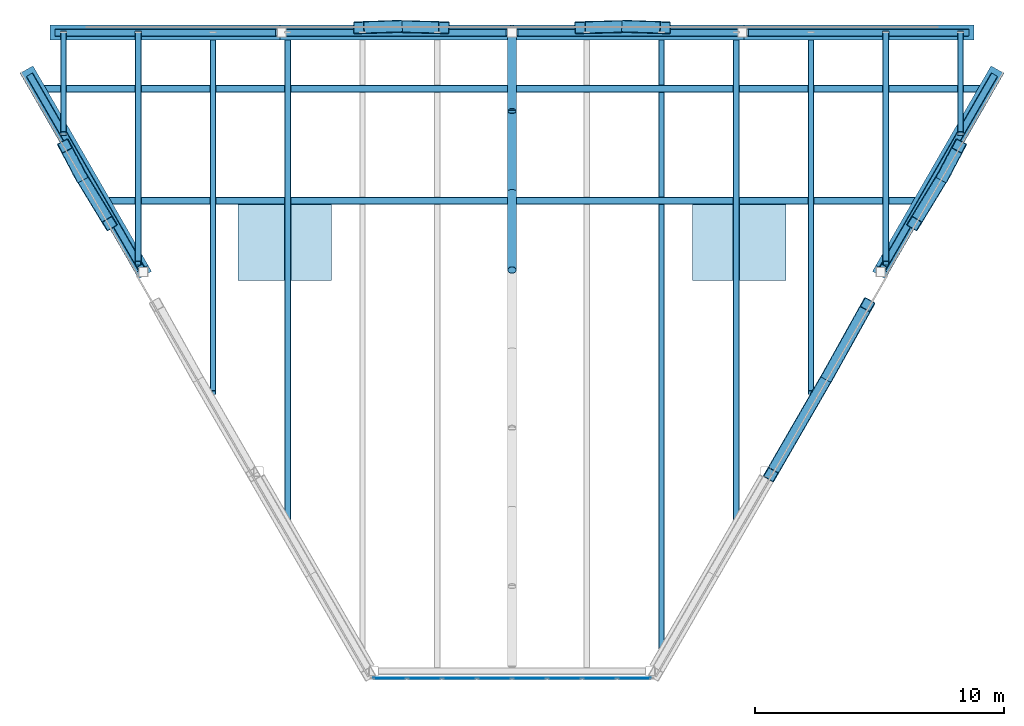
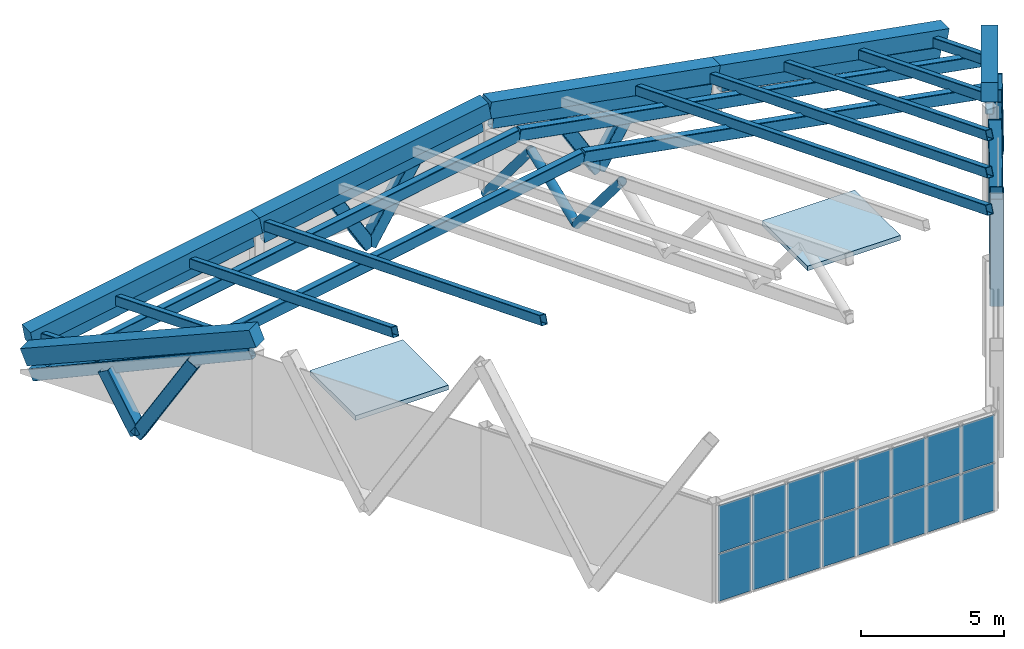
# One storey, part 3 of 6: 32 members, 16 plates, 6 beams, 2 slabs, 1 element without a shape of its own.
"""IFC4 building model written with IfcOpenShell, lengths in metres."""

from ifc_helpers import new_model, si_unit, direction, frame, origin, origin_2d, place, context, subcontext, project, spatial, polyline, rectangle, hollow_rectangle, hollow_circle, outline, extrude, material, layer, layer_set, material_profile, profile_set, type_object, element, aggregate, save


model = new_model("IFC4")

# Units and contexts
model_context = context("Model", 3, precision=1e-05, world=origin(), true_north=direction((0.0, 1.0)))
body_context = subcontext(model_context, "Body", "Model", "MODEL_VIEW")
ifc_project = project(units=[si_unit("LENGTHUNIT", "METRE"), si_unit("AREAUNIT", "SQUARE_METRE"), si_unit("VOLUMEUNIT", "CUBIC_METRE"), si_unit("PLANEANGLEUNIT", "RADIAN"), si_unit("MASSUNIT", "GRAM", prefix="KILO")], contexts=[model_context])

# Site, building, storey
site_placement = place(None, origin())
site = spatial("IfcSite", under=ifc_project, at=site_placement, CompositionType="ELEMENT")
building_placement = place(site_placement, origin())
building = spatial("IfcBuilding", under=site, at=building_placement, Name="Aloe Facet Convention Tower", CompositionType="ELEMENT")
storey_placement = place(building_placement, frame((0.0, 0.0, 293.89990234375)))
storey = spatial("IfcBuildingStorey", under=building, at=storey_placement, Name="C3", CompositionType="ELEMENT", Elevation=293.89990234375)

# Members
ifc_material_1 = material(Name="Steel S355, bronze oxide finish", Category="steel")
ifc_material_profile_1 = material_profile(ifc_material_1, hollow_rectangle(XDim=0.5, YDim=0.5, WallThickness=0.02490234375, InnerFilletRadius=0.02490234375, OuterFilletRadius=0.050048828125, at=origin_2d()), Name="SHS 500x500x25")
ifc_profile_set_1 = profile_set([ifc_material_profile_1], Name="Steel S355, bronze oxide finish")
member_type_1 = type_object("IfcMemberType", Name="STW-CROWN FRAME BRACE", PredefinedType="BRACE", material=ifc_profile_set_1)
member_1_placement = place(storey_placement, frame((84.62158203125, 135.050048828125, -0.849853515625), z_axis=(0.509675105085, -0.016730728029, 0.860204260624), x_axis=(0.032808589101, 0.999461653332, 0.0)))
element("IfcMember", 1, at=member_1_placement, inside=storey, type_object=member_type_1, Name="Crown frame brace CF-B-B02-N3", PredefinedType="BRACE", context=body_context, shape_type="SweptSolid", body=[
    extrude(hollow_rectangle(XDim=0.5, YDim=0.5, WallThickness=0.02490234375, InnerFilletRadius=0.02490234375, OuterFilletRadius=0.050048828125, at=origin_2d()), origin(), (0.0, 0.0, 1.0), 2.991455078125),
])
for number, where, z_axis, x_axis, name in (
    (2, (84.62158203125, 135.050048828125, -0.849853515625), (-0.5096836479, -0.013506353131, 0.860255867454), (0.026490183566, -0.999649073513, 0.0), "Crown frame brace CF-B-B02-N4"),
    (3, (75.37841796875, 135.050048828125, -0.849853515625), (0.5096836479, -0.013506353131, 0.860255867454), (0.026490183566, 0.999649073513, 0.0), "Crown frame brace CF-B-B03-N3"),
):
    element("IfcMember", number, at=place(storey_placement, frame(where, z_axis=z_axis, x_axis=x_axis)), inside=storey, type_object=member_type_1, Name=name, PredefinedType="BRACE", context=body_context, shape_type="SweptSolid", body=[
        extrude(hollow_rectangle(XDim=0.5, YDim=0.5, WallThickness=0.02490234375, InnerFilletRadius=0.02490234375, OuterFilletRadius=0.050048828125, at=origin_2d()), origin(), (0.0, 0.0, 1.0), 3.70556640625),
    ])
member_2_placement = place(storey_placement, frame((75.37841796875, 135.050048828125, -0.849853515625), z_axis=(-0.509675105085, -0.016730728029, 0.860204260624), x_axis=(0.032808589101, -0.999461653332, 0.0)))
element("IfcMember", 4, at=member_2_placement, inside=storey, type_object=member_type_1, Name="Crown frame brace CF-B-B03-N4", PredefinedType="BRACE", context=body_context, shape_type="SweptSolid", body=[
    extrude(hollow_rectangle(XDim=0.5, YDim=0.5, WallThickness=0.02490234375, InnerFilletRadius=0.02490234375, OuterFilletRadius=0.050048828125, at=origin_2d()), origin(), (0.0, 0.0, 1.0), 2.991455078125),
])
member_3_placement = place(storey_placement, frame((62.681396484375, 129.0673828125, -0.849853515625), z_axis=(-0.238278585154, 0.450920781059, 0.860170776687), x_axis=(-0.884147797213, -0.467207312317, 0.0)))
element("IfcMember", 5, at=member_3_placement, inside=storey, type_object=member_type_1, Name="Crown frame brace CF-B-B06-N3", PredefinedType="BRACE", context=body_context, shape_type="SweptSolid", body=[
    extrude(hollow_rectangle(XDim=0.5, YDim=0.5, WallThickness=0.02490234375, InnerFilletRadius=0.02490234375, OuterFilletRadius=0.050048828125, at=origin_2d()), origin(), (0.0, 0.0, 1.0), 2.618896484375),
])
member_4_placement = place(storey_placement, frame((62.681396484375, 129.0673828125, -0.849853515625), z_axis=(0.264627292812, -0.435778999355, 0.860272665857), x_axis=(0.854746455098, 0.519045756652, 0.0)))
element("IfcMember", 6, at=member_4_placement, inside=storey, type_object=member_type_1, Name="Crown frame brace CF-B-B06-N4", PredefinedType="BRACE", context=body_context, shape_type="SweptSolid", body=[
    extrude(hollow_rectangle(XDim=0.5, YDim=0.5, WallThickness=0.02490234375, InnerFilletRadius=0.02490234375, OuterFilletRadius=0.050048828125, at=origin_2d()), origin(), (0.0, 0.0, 1.0), 4.434814453125),
])
member_5_placement = place(storey_placement, frame((92.697265625, 121.062744140625, -0.849853515625), z_axis=(-0.254873462398, -0.441457532229, 0.860322477565), x_axis=(0.866027240882, -0.49999681804, 0.0)))
element("IfcMember", 7, at=member_5_placement, inside=storey, type_object=member_type_1, Name="Crown frame brace CF-B-B11-N3", PredefinedType="BRACE", context=body_context, shape_type="SweptSolid", body=[
    extrude(hollow_rectangle(XDim=0.5, YDim=0.5, WallThickness=0.02490234375, InnerFilletRadius=0.02490234375, OuterFilletRadius=0.050048828125, at=origin_2d()), origin(), (0.0, 0.0, 1.0), 9.06640625),
])
member_6_placement = place(storey_placement, frame((92.697265625, 121.062744140625, -0.849853515625), z_axis=(0.248005116603, 0.445383566835, 0.860306306226), x_axis=(-0.873682344052, 0.486496825984, 0.0)))
element("IfcMember", 8, at=member_6_placement, inside=storey, type_object=member_type_1, Name="Crown frame brace CF-B-B11-N4", PredefinedType="BRACE", context=body_context, shape_type="SweptSolid", body=[
    extrude(hollow_rectangle(XDim=0.5, YDim=0.5, WallThickness=0.02490234375, InnerFilletRadius=0.02490234375, OuterFilletRadius=0.050048828125, at=origin_2d()), origin(), (0.0, 0.0, 1.0), 6.331787109375),
])
member_7_placement = place(storey_placement, frame((97.318603515625, 129.0673828125, -0.849853515625), z_axis=(-0.264627292812, -0.435778999355, 0.860272665857), x_axis=(0.854746455098, -0.519045756652, 0.0)))
element("IfcMember", 9, at=member_7_placement, inside=storey, type_object=member_type_1, Name="Crown frame brace CF-B-B12-N3", PredefinedType="BRACE", context=body_context, shape_type="SweptSolid", body=[
    extrude(hollow_rectangle(XDim=0.5, YDim=0.5, WallThickness=0.02490234375, InnerFilletRadius=0.02490234375, OuterFilletRadius=0.050048828125, at=origin_2d()), origin(), (0.0, 0.0, 1.0), 4.434814453125),
])
member_8_placement = place(storey_placement, frame((97.318603515625, 129.0673828125, -0.849853515625), z_axis=(0.238278585154, 0.450920781059, 0.860170776687), x_axis=(-0.884147797213, 0.467207312317, 0.0)))
element("IfcMember", 10, at=member_8_placement, inside=storey, type_object=member_type_1, Name="Crown frame brace CF-B-B12-N4", PredefinedType="BRACE", context=body_context, shape_type="SweptSolid", body=[
    extrude(hollow_rectangle(XDim=0.5, YDim=0.5, WallThickness=0.02490234375, InnerFilletRadius=0.02490234375, OuterFilletRadius=0.050048828125, at=origin_2d()), origin(), (0.0, 0.0, 1.0), 2.618896484375),
])

# Beams
ifc_material_2 = material(Name="Steel S355, bronze oxide finish", Category="steel")
ifc_material_profile_2 = material_profile(ifc_material_2, hollow_rectangle(XDim=0.300048828125, YDim=0.5, WallThickness=0.02001953125, InnerFilletRadius=0.02001953125, OuterFilletRadius=0.0400390625, at=origin_2d()), Name="RHS 500x300x20")
ifc_profile_set_2 = profile_set([ifc_material_profile_2], Name="Steel S355, bronze oxide finish")
beam_type = type_object("IfcBeamType", Name="STW-CROWN FRAME CAP", PredefinedType="BEAM", material=ifc_profile_set_2)
beam_1_placement = place(storey_placement, frame((98.2861328125, 134.800048828125, -0.497802734375), z_axis=(-0.982756194628, 0.0, 0.184906089462), x_axis=(0.0, -1.0, 0.0)))
element("IfcBeam", 11, at=beam_1_placement, inside=storey, type_object=beam_type, Name="Crown frame cap CF-C-B01", PredefinedType="BEAM", context=body_context, shape_type="SweptSolid", body=[
    extrude(hollow_rectangle(XDim=0.300048828125, YDim=0.5, WallThickness=0.02001953125, InnerFilletRadius=0.02001953125, OuterFilletRadius=0.0400390625, at=origin_2d()), origin(), (0.0, 0.0, 1.0), 8.998291015625),
])
for number, where, z_axis, x_axis, name in (
    (12, (89.04296875, 134.800048828125, 1.166015625), (-0.982761124706, 0.0, 0.184879884701), (0.0, -1.0, 0.0), "Crown frame cap CF-C-B02"),
    (13, (79.800048828125, 134.800048828125, 2.82958984375), (-0.982761124706, 0.0, -0.184879884701), (0.0, -1.0, 0.0), "Crown frame cap CF-C-B03"),
):
    element("IfcBeam", number, at=place(storey_placement, frame(where, z_axis=z_axis, x_axis=x_axis)), inside=storey, type_object=beam_type, Name=name, PredefinedType="BEAM", context=body_context, shape_type="SweptSolid", body=[
        extrude(hollow_rectangle(XDim=0.300048828125, YDim=0.5, WallThickness=0.02001953125, InnerFilletRadius=0.02001953125, OuterFilletRadius=0.0400390625, at=origin_2d()), origin(), (0.0, 0.0, 1.0), 8.998046875),
    ])
beam_2_placement = place(storey_placement, frame((70.556884765625, 134.800048828125, 1.166015625), z_axis=(-0.982756194628, 0.0, -0.184906089462), x_axis=(0.0, -1.0, 0.0)))
element("IfcBeam", 14, at=beam_2_placement, inside=storey, type_object=beam_type, Name="Crown frame cap CF-C-B04", PredefinedType="BEAM", context=body_context, shape_type="SweptSolid", body=[
    extrude(hollow_rectangle(XDim=0.300048828125, YDim=0.5, WallThickness=0.02001953125, InnerFilletRadius=0.02001953125, OuterFilletRadius=0.0400390625, at=origin_2d()), origin(), (0.0, 0.0, 1.0), 8.998291015625),
])
for number, where, z_axis, x_axis, name in (
    (15, (60.68701171875, 133.021484375, -0.02587890625), (0.45523899569, -0.78846760625, 0.413613697425), (0.866017313224, 0.500014013, 0.0), "Crown frame cap CF-C-B06"),
    (16, (94.891357421875, 125.36328125, 3.991455078125), (0.45523899569, 0.78846760625, -0.413613697425), (-0.866017313224, 0.500014013, 0.0), "Crown frame cap CF-C-B12"),
):
    element("IfcBeam", number, at=place(storey_placement, frame(where, z_axis=z_axis, x_axis=x_axis)), inside=storey, type_object=beam_type, Name=name, PredefinedType="BEAM", context=body_context, shape_type="SweptSolid", body=[
        extrude(hollow_rectangle(XDim=0.300048828125, YDim=0.5, WallThickness=0.02001953125, InnerFilletRadius=0.02001953125, OuterFilletRadius=0.0400390625, at=origin_2d()), origin(), (0.0, 0.0, 1.0), 9.712646484375),
    ])

# Members
ifc_material_3 = material(Name="Steel S355", Category="steel")
ifc_material_profile_3 = material_profile(ifc_material_3, hollow_circle(Radius=0.177734375, WallThickness=0.01611328125, at=origin_2d()), Name="CHS 355.6x16")
ifc_profile_set_3 = profile_set([ifc_material_profile_3], Name="Steel S355")
member_type_2 = type_object("IfcMemberType", Name="STW-CROWN FRAME FOLD DIAGONAL", PredefinedType="BRACE", material=ifc_profile_set_3)
member_9_placement = place(storey_placement, frame((80.0, 134.800048828125, -0.17041015625), z_axis=(0.0, -0.644997581761, 0.764184610891), x_axis=(1.0, 0.0, 0.0)))
element("IfcMember", 17, at=member_9_placement, inside=storey, type_object=member_type_2, Name="Crown frame fold diagonal CF-FD-01", PredefinedType="BRACE", context=body_context, shape_type="SweptSolid", body=[
    extrude(hollow_circle(Radius=0.177734375, WallThickness=0.01611328125, at=origin_2d()), origin(), (0.0, 0.0, 1.0), 4.92626953125),
])
member_10_placement = place(storey_placement, frame((80.0, 131.62255859375, 3.59423828125), z_axis=(0.0, -0.932014078539, -0.362422070802), x_axis=(1.0, 0.0, 0.0)))
element("IfcMember", 18, at=member_10_placement, inside=storey, type_object=member_type_2, Name="Crown frame fold diagonal CF-FD-02", PredefinedType="BRACE", context=body_context, shape_type="SweptSolid", body=[
    extrude(hollow_circle(Radius=0.177734375, WallThickness=0.01611328125, at=origin_2d()), origin(), (0.0, 0.0, 1.0), 3.4091796875),
])
member_11_placement = place(storey_placement, frame((80.0, 128.445068359375, 2.358642578125), z_axis=(0.0, -0.645022009365, 0.764163992501), x_axis=(1.0, 0.0, 0.0)))
element("IfcMember", 19, at=member_11_placement, inside=storey, type_object=member_type_2, Name="Crown frame fold diagonal CF-FD-03", PredefinedType="BRACE", context=body_context, shape_type="SweptSolid", body=[
    extrude(hollow_circle(Radius=0.177734375, WallThickness=0.01611328125, at=origin_2d()), origin(), (0.0, 0.0, 1.0), 4.92626953125),
])
ifc_material_4 = material(Name="Steel S355", Category="steel")
ifc_material_profile_4 = material_profile(ifc_material_4, hollow_rectangle(XDim=0.25, YDim=0.39990234375, WallThickness=0.01611328125, InnerFilletRadius=0.01611328125, OuterFilletRadius=0.031982421875, at=origin_2d()), Name="RHS 400x250x16")
ifc_profile_set_4 = profile_set([ifc_material_profile_4], Name="Steel S355")
member_type_3 = type_object("IfcMemberType", Name="STW-CROWN FRAME PURLIN", PredefinedType="PURLIN", material=ifc_profile_set_4)
member_12_placement = place(storey_placement, frame((86.0, 134.800048828125, 2.19970703125), z_axis=(0.0, -0.929134070311, 0.369742990991), x_axis=(1.0, 0.0, 0.0)))
element("IfcMember", 20, at=member_12_placement, inside=storey, type_object=member_type_3, Name="Crown frame purlin CF-PU-E04", PredefinedType="PURLIN", context=body_context, shape_type="SweptSolid", body=[
    extrude(hollow_rectangle(XDim=0.25, YDim=0.39990234375, WallThickness=0.01611328125, InnerFilletRadius=0.01611328125, OuterFilletRadius=0.031982421875, at=origin_2d()), origin(), (0.0, 0.0, 1.0), 26.7314453125),
])
for number, where, z_axis, x_axis, name in (
    (21, (71.0, 134.800048828125, 1.65966796875), (0.0, -0.929132346683, 0.3697473223), (1.0, 0.0, 0.0), "Crown frame purlin CF-PU-W05"),
    (22, (89.0, 134.800048828125, 1.65966796875), (0.0, -0.929132346683, 0.3697473223), (1.0, 0.0, 0.0), "Crown frame purlin CF-PU-E06"),
):
    element("IfcMember", number, at=place(storey_placement, frame(where, z_axis=z_axis, x_axis=x_axis)), inside=storey, type_object=member_type_3, Name=name, PredefinedType="PURLIN", context=body_context, shape_type="SweptSolid", body=[
        extrude(hollow_rectangle(XDim=0.25, YDim=0.39990234375, WallThickness=0.01611328125, InnerFilletRadius=0.01611328125, OuterFilletRadius=0.031982421875, at=origin_2d()), origin(), (0.0, 0.0, 1.0), 21.13916015625),
    ])
for number, where, z_axis, x_axis, name in (
    (23, (68.0, 134.800048828125, 1.11962890625), (0.0, -0.929132631016, 0.369746607803), (1.0, 0.0, 0.0), "Crown frame purlin CF-PU-W07"),
    (24, (92.0, 134.800048828125, 1.11962890625), (0.0, -0.929132631016, 0.369746607803), (1.0, 0.0, 0.0), "Crown frame purlin CF-PU-E08"),
):
    element("IfcMember", number, at=place(storey_placement, frame(where, z_axis=z_axis, x_axis=x_axis)), inside=storey, type_object=member_type_3, Name=name, PredefinedType="PURLIN", context=body_context, shape_type="SweptSolid", body=[
        extrude(hollow_rectangle(XDim=0.25, YDim=0.39990234375, WallThickness=0.01611328125, InnerFilletRadius=0.01611328125, OuterFilletRadius=0.031982421875, at=origin_2d()), origin(), (0.0, 0.0, 1.0), 15.546630859375),
    ])
for number, where, z_axis, x_axis, name in (
    (25, (65.0, 134.800048828125, 0.57958984375), (0.0, -0.929128161975, 0.369757837815), (1.0, 0.0, 0.0), "Crown frame purlin CF-PU-W09"),
    (26, (95.0, 134.800048828125, 0.57958984375), (0.0, -0.929128161975, 0.369757837815), (1.0, 0.0, 0.0), "Crown frame purlin CF-PU-E10"),
):
    element("IfcMember", number, at=place(storey_placement, frame(where, z_axis=z_axis, x_axis=x_axis)), inside=storey, type_object=member_type_3, Name=name, PredefinedType="PURLIN", context=body_context, shape_type="SweptSolid", body=[
        extrude(hollow_rectangle(XDim=0.25, YDim=0.39990234375, WallThickness=0.01611328125, InnerFilletRadius=0.01611328125, OuterFilletRadius=0.031982421875, at=origin_2d()), origin(), (0.0, 0.0, 1.0), 9.954345703125),
    ])
for number, where, z_axis, x_axis, name in (
    (27, (62.0, 134.800048828125, 0.039794921875), (0.0, -0.92914303942, 0.369720451555), (1.0, 0.0, 0.0), "Crown frame purlin CF-PU-W11"),
    (28, (98.0, 134.800048828125, 0.039794921875), (0.0, -0.92914303942, 0.369720451555), (1.0, 0.0, 0.0), "Crown frame purlin CF-PU-E12"),
):
    element("IfcMember", number, at=place(storey_placement, frame(where, z_axis=z_axis, x_axis=x_axis)), inside=storey, type_object=member_type_3, Name=name, PredefinedType="PURLIN", context=body_context, shape_type="SweptSolid", body=[
        extrude(hollow_rectangle(XDim=0.25, YDim=0.39990234375, WallThickness=0.01611328125, InnerFilletRadius=0.01611328125, OuterFilletRadius=0.031982421875, at=origin_2d()), origin(), (0.0, 0.0, 1.0), 4.361572265625),
    ])
ifc_material_5 = material(Name="Steel S355", Category="steel")
ifc_material_profile_5 = material_profile(ifc_material_5, hollow_rectangle(XDim=0.300048828125, YDim=0.5, WallThickness=0.02001953125, InnerFilletRadius=0.02001953125, OuterFilletRadius=0.0400390625, at=origin_2d()), Name="RHS 500x300x20")
ifc_profile_set_5 = profile_set([ifc_material_profile_5], Name="Steel S355")
member_type_4 = type_object("IfcMemberType", Name="STW-CROWN FRAME RAFTER", PredefinedType="RAFTER", material=ifc_profile_set_5)
for number, where, z_axis, x_axis, name in (
    (29, (80.0, 132.550048828125, 3.72509765625), (-0.984184160028, 0.0, -0.177148353508), (0.0, -1.0, 0.0), "Crown frame rafter CF-RF-W01"),
    (30, (80.0, 132.550048828125, 3.72509765625), (0.984184160028, 0.0, -0.177148353508), (0.0, 1.0, 0.0), "Crown frame rafter CF-RF-E02"),
):
    element("IfcMember", number, at=place(storey_placement, frame(where, z_axis=z_axis, x_axis=x_axis)), inside=storey, type_object=member_type_4, Name=name, PredefinedType="RAFTER", context=body_context, shape_type="SweptSolid", body=[
        extrude(hollow_rectangle(XDim=0.300048828125, YDim=0.5, WallThickness=0.02001953125, InnerFilletRadius=0.02001953125, OuterFilletRadius=0.0400390625, at=origin_2d()), origin(), (0.0, 0.0, 1.0), 19.3466796875),
    ])
for number, where, z_axis, x_axis, name in (
    (31, (80.0, 128.050048828125, 5.515869140625), (-0.984182865362, 0.0, -0.177155546137), (0.0, -1.0, 0.0), "Crown frame rafter CF-RF-W03"),
    (32, (80.0, 128.050048828125, 5.515869140625), (0.984182865362, 0.0, -0.177155546137), (0.0, 1.0, 0.0), "Crown frame rafter CF-RF-E04"),
):
    element("IfcMember", number, at=place(storey_placement, frame(where, z_axis=z_axis, x_axis=x_axis)), inside=storey, type_object=member_type_4, Name=name, PredefinedType="RAFTER", context=body_context, shape_type="SweptSolid", body=[
        extrude(hollow_rectangle(XDim=0.300048828125, YDim=0.5, WallThickness=0.02001953125, InnerFilletRadius=0.02001953125, OuterFilletRadius=0.0400390625, at=origin_2d()), origin(), (0.0, 0.0, 1.0), 16.706787109375),
    ])
ifc_material_6 = material(Name="Precast concrete C40/50", Category="concrete")
ifc_material_profile_6 = material_profile(ifc_material_6, rectangle(XDim=0.60009765625, YDim=0.699951171875, at=origin_2d()), Name="STW-CROWN STONE CAP")
ifc_profile_set_6 = profile_set([ifc_material_profile_6], Name="Precast concrete C40/50")
member_type_5 = type_object("IfcMemberType", Name="STW-CROWN STONE CAP", PredefinedType="MEMBER", material=ifc_profile_set_6)
member_13_placement = place(storey_placement, frame((98.486083984375, 134.800048828125, 0.19189453125), z_axis=(-0.984186133966, 0.0, 0.177137386535), x_axis=(0.0, -1.0, 0.0)))
element("IfcMember", 33, at=member_13_placement, inside=storey, type_object=member_type_5, Name="Crown stone cap CF-SC-B01", PredefinedType="MEMBER", context=body_context, shape_type="SweptSolid", body=[
    extrude(rectangle(XDim=0.60009765625, YDim=0.699951171875, at=origin_2d()), origin(), (0.0, 0.0, 1.0), 9.391357421875),
])
for number, where, z_axis, x_axis, name in (
    (34, (89.2431640625, 134.800048828125, 1.85546875), (-0.984182417499, 0.0, 0.177158034212), (0.0, -1.0, 0.0), "Crown stone cap CF-SC-B02"),
    (35, (80.0, 134.800048828125, 3.519287109375), (-0.984182417499, 0.0, -0.177158034212), (0.0, -1.0, 0.0), "Crown stone cap CF-SC-B03"),
):
    element("IfcMember", number, at=place(storey_placement, frame(where, z_axis=z_axis, x_axis=x_axis)), inside=storey, type_object=member_type_5, Name=name, PredefinedType="MEMBER", context=body_context, shape_type="SweptSolid", body=[
        extrude(rectangle(XDim=0.60009765625, YDim=0.699951171875, at=origin_2d()), origin(), (0.0, 0.0, 1.0), 9.3916015625),
    ])
member_14_placement = place(storey_placement, frame((70.7568359375, 134.800048828125, 1.85546875), z_axis=(-0.984186133966, 0.0, -0.177137386535), x_axis=(0.0, -1.0, 0.0)))
element("IfcMember", 36, at=member_14_placement, inside=storey, type_object=member_type_5, Name="Crown stone cap CF-SC-B04", PredefinedType="MEMBER", context=body_context, shape_type="SweptSolid", body=[
    extrude(rectangle(XDim=0.60009765625, YDim=0.699951171875, at=origin_2d()), origin(), (0.0, 0.0, 1.0), 9.391357421875),
])
for number, where, z_axis, x_axis, name in (
    (37, (60.587158203125, 133.19482421875, 0.76611328125), (0.458539434718, -0.794262295184, 0.398608822351), (0.866038677893, 0.499977007864, 0.0), "Crown stone cap CF-SC-B06"),
    (38, (94.79150390625, 125.18994140625, 4.783447265625), (0.458539434718, 0.794262295184, -0.398608822351), (-0.866038677893, 0.499977007864, 0.0), "Crown stone cap CF-SC-B12"),
):
    element("IfcMember", number, at=place(storey_placement, frame(where, z_axis=z_axis, x_axis=x_axis)), inside=storey, type_object=member_type_5, Name=name, PredefinedType="MEMBER", context=body_context, shape_type="SweptSolid", body=[
        extrude(rectangle(XDim=0.60009765625, YDim=0.699951171875, at=origin_2d()), origin(), (0.0, 0.0, 1.0), 10.078369140625),
    ])

# Slabs
ifc_material_7 = material(Name="Concrete C50/60", Category="concrete")
ifc_layer_1 = layer(ifc_material_7, 0.199951171875)
ifc_layer_set_1 = layer_set([ifc_layer_1], Name="CR-S-LID200-C5060")
slab_type = type_object("IfcSlabType", Name="CR-S-LID200-C5060", PredefinedType="ROOF", material=ifc_layer_set_1)
slab_1_placement = place(storey_placement, origin())
element("IfcSlab", 39, at=slab_1_placement, inside=storey, type_object=slab_type, Name="Head-house roof C2-1", PredefinedType="ROOF", context=body_context, shape_type="SweptSolid", body=[
    extrude(outline(polyline([(87.25, 124.85009765625), (87.25, 125.449951171875), (87.25, 127.449951171875), (87.25, 128.050048828125), (91.0, 128.050048828125), (91.0, 127.449951171875), (91.0, 125.449951171875), (91.0, 124.85009765625), (87.25, 124.85009765625)])), origin(), (0.0, 0.0, 1.0), 0.2001953125),
])
slab_2_placement = place(storey_placement, origin())
element("IfcSlab", 40, at=slab_2_placement, inside=storey, type_object=slab_type, Name="Head-house roof C2-2", PredefinedType="ROOF", context=body_context, shape_type="SweptSolid", body=[
    extrude(outline(polyline([(69.0, 124.85009765625), (69.0, 125.449951171875), (69.0, 127.449951171875), (69.0, 128.050048828125), (72.75, 128.050048828125), (72.75, 127.449951171875), (72.75, 125.449951171875), (72.75, 124.85009765625), (69.0, 124.85009765625)])), origin(), (0.0, 0.0, 1.0), 0.2001953125),
])

# Curtain wall, plates
ifc_material_8 = material(Name="Aluminium, anodised", Category="aluminium")
curtain_wall_type = type_object("IfcCurtainWallType", Name="EV-CW-CROWN", PredefinedType="USERDEFINED", material=ifc_material_8)
curtain_wall_placement = place(storey_placement, origin())
curtain_wall = element("IfcCurtainWall", 41, at=curtain_wall_placement, inside=storey, type_object=curtain_wall_type, Name="CW-C3-Z09", ObjectType="CROWN SCREEN GLAZING", PredefinedType="USERDEFINED")
ifc_material_9 = material(Name="Clear double glazing", Category="glass")
ifc_layer_2 = layer(ifc_material_9, 0.031982421875)
ifc_layer_set_2 = layer_set([ifc_layer_2], Name="EV-PANEL-CROWN")
plate_type = type_object("IfcPlateType", Name="EV-PANEL-CROWN", PredefinedType="CURTAIN_PANEL", material=ifc_layer_set_2)
plate_1_placement = place(storey_placement, frame((75.090087890625, 108.890625, 0.06005859375), z_axis=(0.0, 0.0, 1.0), x_axis=(1.0, 0.0, 0.0)))
plate_1 = element("IfcPlate", 42, at=plate_1_placement, type_object=plate_type, Name="CW-C3-Z09 panel 1.1", PredefinedType="CURTAIN_PANEL", context=body_context, shape_type="SweptSolid", body=[
    extrude(rectangle(XDim=1.317138671875, YDim=0.031982421875, at=origin_2d()), origin(), (0.0, 0.0, 1.0), 2.010009765625),
])
plate_2_placement = place(storey_placement, frame((75.090087890625, 108.890625, 2.1298828125), z_axis=(0.0, 0.0, 1.0), x_axis=(1.0, 0.0, 0.0)))
plate_2 = element("IfcPlate", 43, at=plate_2_placement, type_object=plate_type, Name="CW-C3-Z09 panel 1.2", PredefinedType="CURTAIN_PANEL", context=body_context, shape_type="SweptSolid", body=[
    extrude(rectangle(XDim=1.317138671875, YDim=0.031982421875, at=origin_2d()), origin(), (0.0, 0.0, 1.0), 2.010009765625),
])
plate_3_placement = place(storey_placement, frame((76.482177734375, 108.890625, 0.06005859375), z_axis=(0.0, 0.0, 1.0), x_axis=(1.0, 0.0, 0.0)))
plate_3 = element("IfcPlate", 44, at=plate_3_placement, type_object=plate_type, Name="CW-C3-Z09 panel 2.1", PredefinedType="CURTAIN_PANEL", context=body_context, shape_type="SweptSolid", body=[
    extrude(rectangle(XDim=1.34716796875, YDim=0.031982421875, at=origin_2d()), origin(), (0.0, 0.0, 1.0), 2.010009765625),
])
plate_4_placement = place(storey_placement, frame((76.482177734375, 108.890625, 2.1298828125), z_axis=(0.0, 0.0, 1.0), x_axis=(1.0, 0.0, 0.0)))
plate_4 = element("IfcPlate", 45, at=plate_4_placement, type_object=plate_type, Name="CW-C3-Z09 panel 2.2", PredefinedType="CURTAIN_PANEL", context=body_context, shape_type="SweptSolid", body=[
    extrude(rectangle(XDim=1.34716796875, YDim=0.031982421875, at=origin_2d()), origin(), (0.0, 0.0, 1.0), 2.010009765625),
])
plate_5_placement = place(storey_placement, frame((77.889404296875, 108.890625, 0.06005859375), z_axis=(0.0, 0.0, 1.0), x_axis=(1.0, 0.0, 0.0)))
plate_5 = element("IfcPlate", 46, at=plate_5_placement, type_object=plate_type, Name="CW-C3-Z09 panel 3.1", PredefinedType="CURTAIN_PANEL", context=body_context, shape_type="SweptSolid", body=[
    extrude(rectangle(XDim=1.34716796875, YDim=0.031982421875, at=origin_2d()), origin(), (0.0, 0.0, 1.0), 2.010009765625),
])
plate_6_placement = place(storey_placement, frame((77.889404296875, 108.890625, 2.1298828125), z_axis=(0.0, 0.0, 1.0), x_axis=(1.0, 0.0, 0.0)))
plate_6 = element("IfcPlate", 47, at=plate_6_placement, type_object=plate_type, Name="CW-C3-Z09 panel 3.2", PredefinedType="CURTAIN_PANEL", context=body_context, shape_type="SweptSolid", body=[
    extrude(rectangle(XDim=1.34716796875, YDim=0.031982421875, at=origin_2d()), origin(), (0.0, 0.0, 1.0), 2.010009765625),
])
plate_7_placement = place(storey_placement, frame((79.29638671875, 108.890625, 0.06005859375), z_axis=(0.0, 0.0, 1.0), x_axis=(1.0, 0.0, 0.0)))
plate_7 = element("IfcPlate", 48, at=plate_7_placement, type_object=plate_type, Name="CW-C3-Z09 panel 4.1", PredefinedType="CURTAIN_PANEL", context=body_context, shape_type="SweptSolid", body=[
    extrude(rectangle(XDim=1.34716796875, YDim=0.031982421875, at=origin_2d()), origin(), (0.0, 0.0, 1.0), 2.010009765625),
])
plate_8_placement = place(storey_placement, frame((79.29638671875, 108.890625, 2.1298828125), z_axis=(0.0, 0.0, 1.0), x_axis=(1.0, 0.0, 0.0)))
plate_8 = element("IfcPlate", 49, at=plate_8_placement, type_object=plate_type, Name="CW-C3-Z09 panel 4.2", PredefinedType="CURTAIN_PANEL", context=body_context, shape_type="SweptSolid", body=[
    extrude(rectangle(XDim=1.34716796875, YDim=0.031982421875, at=origin_2d()), origin(), (0.0, 0.0, 1.0), 2.010009765625),
])
plate_9_placement = place(storey_placement, frame((80.70361328125, 108.890625, 0.06005859375), z_axis=(0.0, 0.0, 1.0), x_axis=(1.0, 0.0, 0.0)))
plate_9 = element("IfcPlate", 50, at=plate_9_placement, type_object=plate_type, Name="CW-C3-Z09 panel 5.1", PredefinedType="CURTAIN_PANEL", context=body_context, shape_type="SweptSolid", body=[
    extrude(rectangle(XDim=1.34716796875, YDim=0.031982421875, at=origin_2d()), origin(), (0.0, 0.0, 1.0), 2.010009765625),
])
plate_10_placement = place(storey_placement, frame((80.70361328125, 108.890625, 2.1298828125), z_axis=(0.0, 0.0, 1.0), x_axis=(1.0, 0.0, 0.0)))
plate_10 = element("IfcPlate", 51, at=plate_10_placement, type_object=plate_type, Name="CW-C3-Z09 panel 5.2", PredefinedType="CURTAIN_PANEL", context=body_context, shape_type="SweptSolid", body=[
    extrude(rectangle(XDim=1.34716796875, YDim=0.031982421875, at=origin_2d()), origin(), (0.0, 0.0, 1.0), 2.010009765625),
])
plate_11_placement = place(storey_placement, frame((82.110595703125, 108.890625, 0.06005859375), z_axis=(0.0, 0.0, 1.0), x_axis=(1.0, 0.0, 0.0)))
plate_11 = element("IfcPlate", 52, at=plate_11_placement, type_object=plate_type, Name="CW-C3-Z09 panel 6.1", PredefinedType="CURTAIN_PANEL", context=body_context, shape_type="SweptSolid", body=[
    extrude(rectangle(XDim=1.34716796875, YDim=0.031982421875, at=origin_2d()), origin(), (0.0, 0.0, 1.0), 2.010009765625),
])
plate_12_placement = place(storey_placement, frame((82.110595703125, 108.890625, 2.1298828125), z_axis=(0.0, 0.0, 1.0), x_axis=(1.0, 0.0, 0.0)))
plate_12 = element("IfcPlate", 53, at=plate_12_placement, type_object=plate_type, Name="CW-C3-Z09 panel 6.2", PredefinedType="CURTAIN_PANEL", context=body_context, shape_type="SweptSolid", body=[
    extrude(rectangle(XDim=1.34716796875, YDim=0.031982421875, at=origin_2d()), origin(), (0.0, 0.0, 1.0), 2.010009765625),
])
plate_13_placement = place(storey_placement, frame((83.517822265625, 108.890625, 0.06005859375), z_axis=(0.0, 0.0, 1.0), x_axis=(1.0, 0.0, 0.0)))
plate_13 = element("IfcPlate", 54, at=plate_13_placement, type_object=plate_type, Name="CW-C3-Z09 panel 7.1", PredefinedType="CURTAIN_PANEL", context=body_context, shape_type="SweptSolid", body=[
    extrude(rectangle(XDim=1.34716796875, YDim=0.031982421875, at=origin_2d()), origin(), (0.0, 0.0, 1.0), 2.010009765625),
])
plate_14_placement = place(storey_placement, frame((83.517822265625, 108.890625, 2.1298828125), z_axis=(0.0, 0.0, 1.0), x_axis=(1.0, 0.0, 0.0)))
plate_14 = element("IfcPlate", 55, at=plate_14_placement, type_object=plate_type, Name="CW-C3-Z09 panel 7.2", PredefinedType="CURTAIN_PANEL", context=body_context, shape_type="SweptSolid", body=[
    extrude(rectangle(XDim=1.34716796875, YDim=0.031982421875, at=origin_2d()), origin(), (0.0, 0.0, 1.0), 2.010009765625),
])
plate_15_placement = place(storey_placement, frame((84.909912109375, 108.890625, 0.06005859375), z_axis=(0.0, 0.0, 1.0), x_axis=(1.0, 0.0, 0.0)))
plate_15 = element("IfcPlate", 56, at=plate_15_placement, type_object=plate_type, Name="CW-C3-Z09 panel 8.1", PredefinedType="CURTAIN_PANEL", context=body_context, shape_type="SweptSolid", body=[
    extrude(rectangle(XDim=1.317138671875, YDim=0.031982421875, at=origin_2d()), origin(), (0.0, 0.0, 1.0), 2.010009765625),
])
plate_16_placement = place(storey_placement, frame((84.909912109375, 108.890625, 2.1298828125), z_axis=(0.0, 0.0, 1.0), x_axis=(1.0, 0.0, 0.0)))
plate_16 = element("IfcPlate", 57, at=plate_16_placement, type_object=plate_type, Name="CW-C3-Z09 panel 8.2", PredefinedType="CURTAIN_PANEL", context=body_context, shape_type="SweptSolid", body=[
    extrude(rectangle(XDim=1.317138671875, YDim=0.031982421875, at=origin_2d()), origin(), (0.0, 0.0, 1.0), 2.010009765625),
])
aggregate(curtain_wall, [plate_1, plate_2, plate_3, plate_4, plate_5, plate_6, plate_7, plate_8, plate_9, plate_10, plate_11, plate_12, plate_13, plate_14, plate_15, plate_16])

save(model, "model.ifc")
